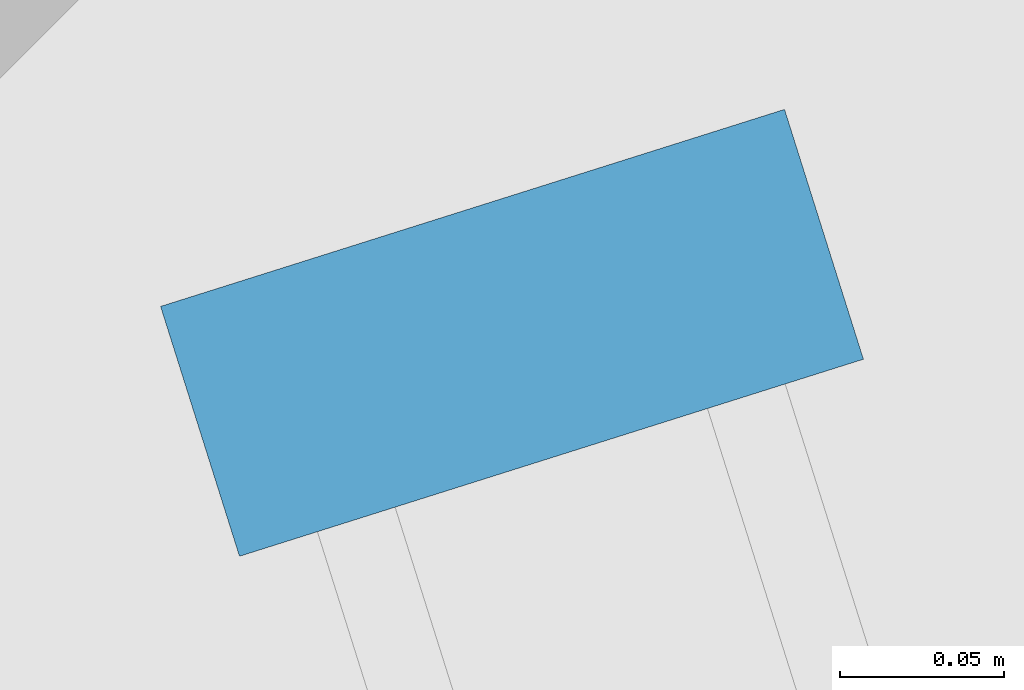
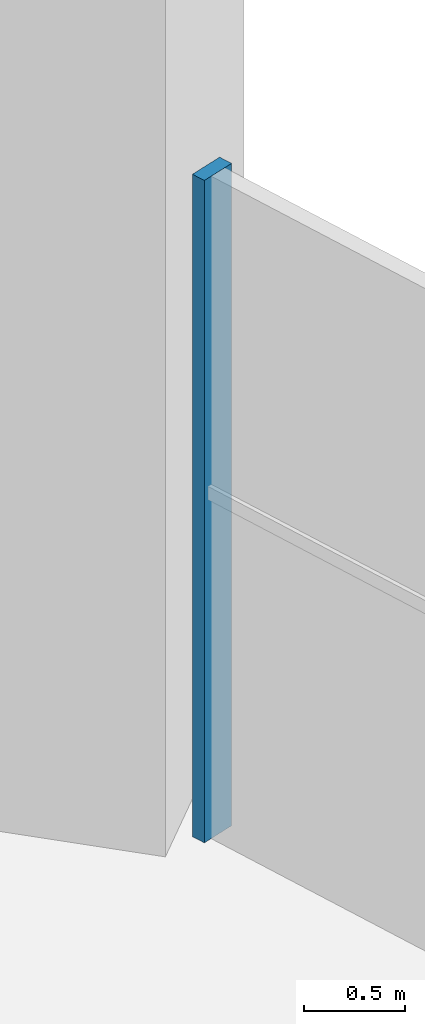
# One storey, part 10 of 17: 1 member, 1 element without a shape of its own.
"""IFC4 building model written with IfcOpenShell, lengths in metres."""

import ifcopenshell
import ifcopenshell.guid

model = None  # the IFC model being written
_history = None  # IfcOwnerHistory: only IFC2X3 demands one
_inside = {}  # id of a spatial element -> (the spatial element, [elements in it])
_under = {}  # id of a project, library or spatial element -> (it, [spatial elements below it])
_declared = {}  # id of a project -> (the project, [libraries it declares])
_typed = {}  # id of a type object -> (the type object, [elements of that type])
_made_of = {}  # id of a material, layer set ... -> (it, [elements and type objects made of it])


def new_model(schema):
    """Start an empty IFC model of exactly this schema.

    Asked for "IFC4X3", IfcOpenShell would pick the latest addendum, in which some entities
    have other attributes; the version numbers below select the first issue.
    IFC2X3 requires an IfcOwnerHistory on every rooted entity: one is made here for all.
    """
    global model, _history
    if schema == "IFC4X3":
        model = ifcopenshell.file(schema_version=(4, 3, 0, 0))
    else:
        model = ifcopenshell.file(schema=schema)
    _inside.clear()
    _under.clear()
    _declared.clear()
    _typed.clear()
    _made_of.clear()
    _history = None
    if model.schema == "IFC2X3":
        org = make("IfcOrganization", Name="unknown")
        user = make(
            "IfcPersonAndOrganization",
            ThePerson=make("IfcPerson", FamilyName="unknown"),
            TheOrganization=org,
        )
        app = make(
            "IfcApplication",
            ApplicationDeveloper=org,
            Version="unknown",
            ApplicationFullName="unknown",
            ApplicationIdentifier="unknown",
        )
        _history = make(
            "IfcOwnerHistory",
            OwningUser=user,
            OwningApplication=app,
            ChangeAction="ADDED",
            CreationDate=0,
        )
    return model


def make(cls, **values):
    """One entity of the class cls with the attributes given. An attribute that is None is left unset."""
    return model.create_entity(
        cls, **{name: value for name, value in values.items() if value is not None}
    )


def rooted(cls, **values):
    """An entity with a GlobalId (a new one), such as an element, a storey or a relation."""
    return make(cls, GlobalId=ifcopenshell.guid.new(), OwnerHistory=_history, **values)


def si_unit(unit_type, name, prefix=None):
    """IfcSIUnit, for example si_unit("LENGTHUNIT", "METRE", prefix="MILLI")."""
    return make("IfcSIUnit", UnitType=unit_type, Prefix=prefix, Name=name)


def assignment(units):
    """IfcUnitAssignment: the units of a project."""
    return None if units is None else make("IfcUnitAssignment", Units=units)


def point(xyz):
    """IfcCartesianPoint."""
    return None if xyz is None else make("IfcCartesianPoint", Coordinates=xyz)


def direction(xyz):
    """IfcDirection."""
    return None if xyz is None else make("IfcDirection", DirectionRatios=xyz)


def frame(location, z_axis=None, x_axis=None):
    """IfcAxis2Placement3D, a coordinate frame: its origin and axes. An axis left out is left unset."""
    return make(
        "IfcAxis2Placement3D",
        Location=point(location),
        Axis=direction(z_axis),
        RefDirection=direction(x_axis),
    )


def frame_2d(location, x_axis=None):
    """IfcAxis2Placement2D, a coordinate frame in the plane: its origin and x axis."""
    return make(
        "IfcAxis2Placement2D", Location=point(location), RefDirection=direction(x_axis)
    )


def origin():
    """The frame at (0, 0, 0) with its axes left unset."""
    return frame((0.0, 0.0, 0.0))


def origin_2d():
    """The frame at (0, 0) in the plane with its x axis left unset."""
    return frame_2d((0.0, 0.0))


def place(relative_to, where):
    """IfcLocalPlacement: puts the frame where relative to a parent placement (None: the world)."""
    return make(
        "IfcLocalPlacement", PlacementRelTo=relative_to, RelativePlacement=where
    )


def context(
    kind, dimensions, precision=None, world=None, true_north=None, identifier=None
):
    """IfcGeometricRepresentationContext, for example the 3D "Model" context."""
    return make(
        "IfcGeometricRepresentationContext",
        ContextIdentifier=identifier,
        ContextType=kind,
        CoordinateSpaceDimension=dimensions,
        Precision=precision,
        WorldCoordinateSystem=world,
        TrueNorth=true_north,
    )


def subcontext(parent, identifier, kind, view, scale=None):
    """IfcGeometricRepresentationSubContext, for example "Body" below "Model"."""
    return make(
        "IfcGeometricRepresentationSubContext",
        ContextIdentifier=identifier,
        ContextType=kind,
        ParentContext=parent,
        TargetScale=scale,
        TargetView=view,
    )


def project(units=None, contexts=None):
    """IfcProject with its units and contexts."""
    return rooted(
        "IfcProject",
        Name="project",
        RepresentationContexts=contexts,
        UnitsInContext=assignment(units),
    )


def spatial(cls, under=None, at=None, **own):
    """A site, building, storey or space (cls), placed at a placement, below another one or the project."""
    s = rooted(cls, ObjectPlacement=at, **own)
    if under is not None:
        _under.setdefault(under.id(), (under, []))[1].append(s)
    return s


def profile(cls, at=None, kind="AREA", **sizes):
    """A parametric profile (cls). Its sizes go by their IFC names, for example OverallWidth=200.0."""
    return make(cls, ProfileType=kind, Position=at, **sizes)


def rectangle(**sizes):
    """IfcRectangleProfileDef."""
    return profile("IfcRectangleProfileDef", **sizes)


def extrude(swept, where, along, depth):
    """IfcExtrudedAreaSolid: the profile swept, set in the frame where, extruded along a direction by depth."""
    return make(
        "IfcExtrudedAreaSolid",
        SweptArea=swept,
        Position=where,
        ExtrudedDirection=direction(along),
        Depth=depth,
    )


def shape(context_of_items, identifier, shape_type, items):
    """IfcShapeRepresentation: the items that make up one representation, for example the "Body"."""
    return make(
        "IfcShapeRepresentation",
        ContextOfItems=context_of_items,
        RepresentationIdentifier=identifier,
        RepresentationType=shape_type,
        Items=items,
    )


def material(Name=None, Category=None):
    """IfcMaterial."""
    return make("IfcMaterial", Name=Name, Category=Category)


def material_profile(
    of_material, cross_section, Name=None, Category=None, Priority=None
):
    """IfcMaterialProfile: a cross section and its material."""
    return make(
        "IfcMaterialProfile",
        Name=Name,
        Material=of_material,
        Profile=cross_section,
        Priority=Priority,
        Category=Category,
    )


def profile_set(profiles, Name=None, composite=None):
    """IfcMaterialProfileSet."""
    return make(
        "IfcMaterialProfileSet",
        Name=Name,
        MaterialProfiles=profiles,
        CompositeProfile=composite,
    )


def made_of(thing, what):
    """Note that an element or type object is made of a material, layer set ...; save() writes the relation."""
    if what is not None:
        _made_of.setdefault(what.id(), (what, []))[1].append(thing)
    return thing


def type_object(cls, material=None, **own):
    """A type object (cls), such as IfcWallType, which elements share."""
    return made_of(rooted(cls, **own), material)


def element(
    cls,
    number,
    at=None,
    inside=None,
    cuts=None,
    type_object=None,
    material=None,
    context=None,
    identifier="Body",
    shape_type=None,
    held_by="IfcProductDefinitionShape",
    body=None,
    shapes=None,
    **own,
):
    """One element of the class cls, such as IfcWall. Its Tag is "e" and its number.

    at: its placement. inside: the storey or other place that contains it. cuts: it is an
    opening in that element (IfcRelVoidsElement). A single representation is given by context,
    identifier, shape_type and body (its items); several are given by shapes. held_by: the class
    of the entity that holds the representations. save() writes the other relations.
    """
    e = rooted(cls, Tag="e%d" % number, ObjectPlacement=at, **own)
    if body is not None:
        shapes = [shape(context, identifier, shape_type, body)]
    if shapes is not None:
        e.Representation = make(held_by, Representations=shapes)
    if inside is not None:
        _inside.setdefault(inside.id(), (inside, []))[1].append(e)
    if cuts is not None:
        rooted(
            "IfcRelVoidsElement", RelatingBuildingElement=cuts, RelatedOpeningElement=e
        )
    if type_object is not None:
        _typed.setdefault(type_object.id(), (type_object, []))[1].append(e)
    return made_of(e, material)


def aggregate(whole, parts):
    """IfcRelAggregates: a whole, such as a stair, and the parts it consists of."""
    return rooted("IfcRelAggregates", RelatingObject=whole, RelatedObjects=parts)


def save(model, path):
    """Write the relations noted so far, then the file.

    IfcRelAggregates (storeys below a building ...), IfcRelContainedInSpatialStructure (elements
    in a storey), IfcRelDefinesByType, IfcRelAssociatesMaterial and IfcRelDeclares: one each for
    every whole, place, type object, material and project.
    """
    for whole, parts in _under.values():
        aggregate(whole, parts)
    for where, things in _inside.values():
        rooted(
            "IfcRelContainedInSpatialStructure",
            RelatedElements=things,
            RelatingStructure=where,
        )
    for kind, things in _typed.values():
        rooted("IfcRelDefinesByType", RelatedObjects=things, RelatingType=kind)
    for what, things in _made_of.values():
        rooted("IfcRelAssociatesMaterial", RelatedObjects=things, RelatingMaterial=what)
    for by, libraries in _declared.values():
        rooted("IfcRelDeclares", RelatingContext=by, RelatedDefinitions=libraries)
    model.write(path)


model = new_model("IFC4")

# Units and contexts
model_context = context("Model", 3, precision=1e-05, world=origin(), true_north=direction((0.0, 1.0)))
body_context = subcontext(model_context, "Body", "Model", "MODEL_VIEW")
ifc_project = project(units=[si_unit("LENGTHUNIT", "METRE"), si_unit("AREAUNIT", "SQUARE_METRE"), si_unit("VOLUMEUNIT", "CUBIC_METRE"), si_unit("PLANEANGLEUNIT", "RADIAN"), si_unit("MASSUNIT", "GRAM", prefix="KILO")], contexts=[model_context])

# Site, building, storey
site_placement = place(None, origin())
site = spatial("IfcSite", under=ifc_project, at=site_placement, CompositionType="ELEMENT")
building_placement = place(site_placement, origin())
building = spatial("IfcBuilding", under=site, at=building_placement, Name="Cobogo Forest Laboratory Tower", CompositionType="ELEMENT")
storey_placement = place(building_placement, frame((0.0, 0.0, 75.89990234375)))
storey = spatial("IfcBuildingStorey", under=building, at=storey_placement, Name="L17", CompositionType="ELEMENT", Elevation=75.89990234375)

# Curtain wall, member
ifc_material_1 = material(Name="Aluminium curtain wall", Category="aluminium")
curtain_wall_type = type_object("IfcCurtainWallType", Name="CW-P louvred curtain wall, plant floors", PredefinedType="USERDEFINED", material=ifc_material_1)
curtain_wall_placement = place(storey_placement, origin())
curtain_wall = element("IfcCurtainWall", 1, at=curtain_wall_placement, inside=storey, type_object=curtain_wall_type, Name="Curtain wall 15 L17", ObjectType="LOUVRED CURTAIN WALL", PredefinedType="USERDEFINED")
ifc_material_2 = material(Name="Aluminium mullion", Category="aluminium")
ifc_material_profile = material_profile(ifc_material_2, rectangle(XDim=0.080078125, YDim=0.199951171875, at=origin_2d()), Name="AL 80x200")
ifc_profile_set = profile_set([ifc_material_profile], Name="Aluminium mullion")
member_type = type_object("IfcMemberType", Name="MU-3 aluminium louvre mullion 80x200", PredefinedType="MULLION", material=ifc_profile_set)
member_placement = place(storey_placement, frame((51.792724609375, 43.89794921875, 0.0), z_axis=(0.0, 0.0, 1.0), x_axis=(-0.301135635976, 0.953581317322, 0.0)))
member = element("IfcMember", 2, at=member_placement, type_object=member_type, Name="CW-P mullion 2", PredefinedType="MULLION", context=body_context, shape_type="SweptSolid", body=[
    extrude(rectangle(XDim=0.080078125, YDim=0.199951171875, at=origin_2d()), origin(), (0.0, 0.0, 1.0), 4.0),
])
aggregate(curtain_wall, [member])

save(model, "model.ifc")
